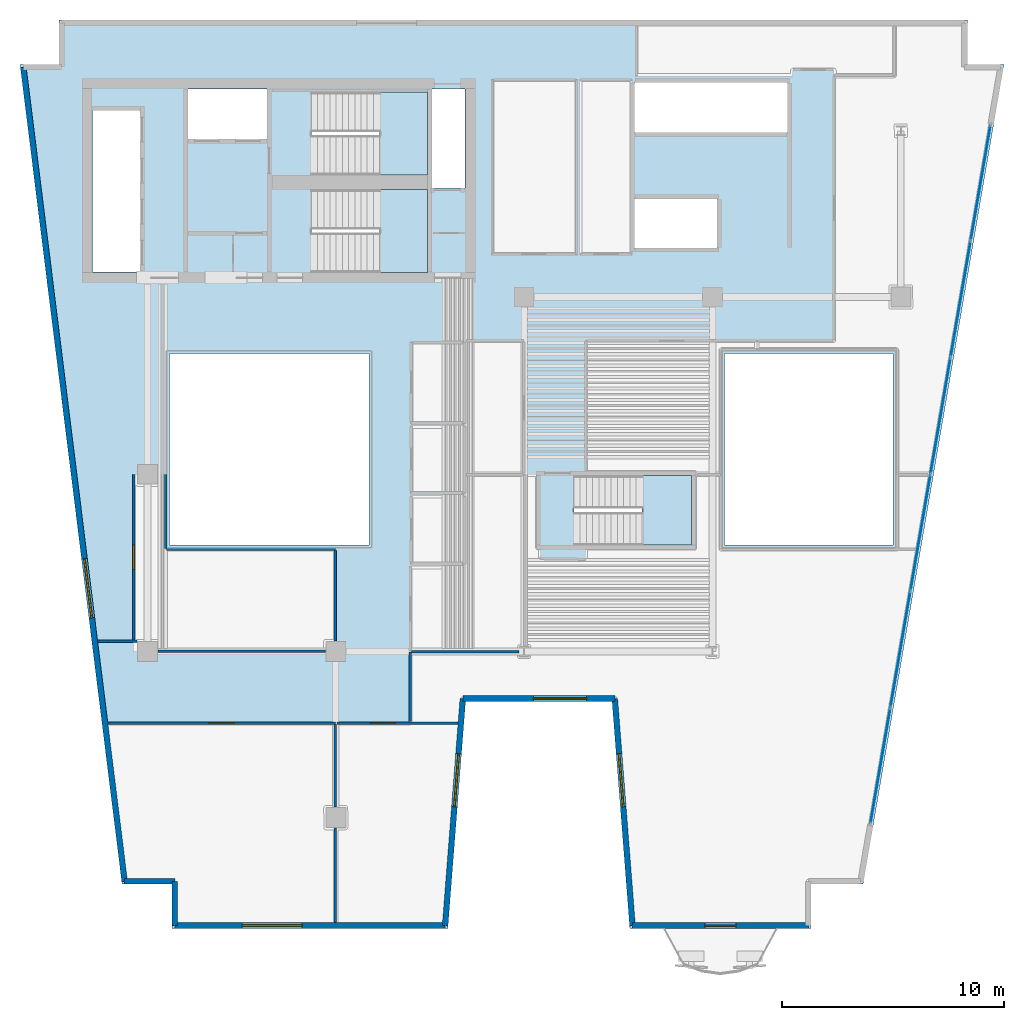
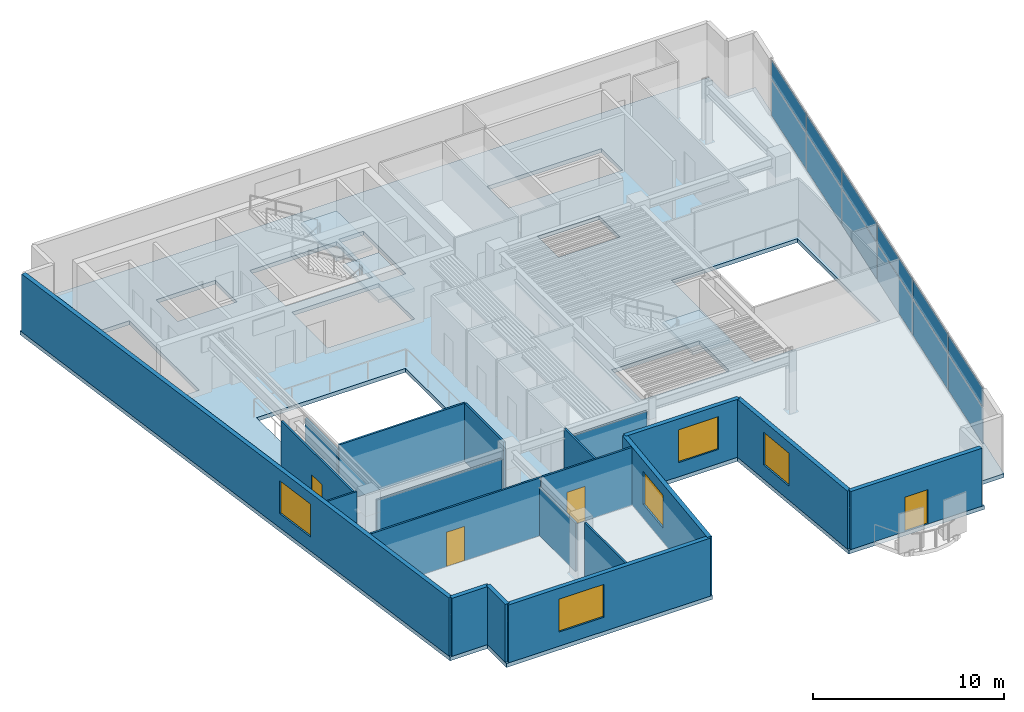
# One storey, part 3 of 10: 20 walls, 12 plates, 5 windows, 4 doors, 4 slabs, 9 openings, 4 elements without a shape of their own.
"""IFC4 building model written with IfcOpenShell, lengths in metres."""

from ifc_helpers import new_model, si_unit, direction, frame, frame_2d, origin, origin_2d, place, context, subcontext, project, spatial, polyline, rectangle, outline, extrude, material, layer, layer_set, type_object, element, fill, aggregate, save


model = new_model("IFC4")

# Units and contexts
model_context = context("Model", 3, precision=1e-05, world=origin(), true_north=direction((0.0, 1.0)))
body_context = subcontext(model_context, "Body", "Model", "MODEL_VIEW")
ifc_project = project(units=[si_unit("LENGTHUNIT", "METRE"), si_unit("AREAUNIT", "SQUARE_METRE"), si_unit("VOLUMEUNIT", "CUBIC_METRE"), si_unit("PLANEANGLEUNIT", "RADIAN"), si_unit("MASSUNIT", "GRAM", prefix="KILO")], contexts=[model_context])

# Site, building, storey
site_placement = place(None, origin())
site = spatial("IfcSite", under=ifc_project, at=site_placement, CompositionType="ELEMENT")
building_placement = place(site_placement, origin())
building = spatial("IfcBuilding", under=site, at=building_placement, Name="Caeloran Harvest Quay", CompositionType="ELEMENT")
storey_placement = place(building_placement, frame((0.0, 0.0, 183.75)))
storey = spatial("IfcBuildingStorey", under=building, at=storey_placement, Name="L43", CompositionType="ELEMENT", Elevation=183.75)

# Curtain wall, plates
ifc_material_1 = material(Name="Aluminium 6063-T6 and Low-E Glazing", Category="aluminium")
ifc_layer_1 = layer(ifc_material_1, 0.2099609375, Name="Aluminium 6063-T6 and Low-E Glazing")
ifc_layer_set_1 = layer_set([ifc_layer_1], Name="Aluminium 6063-T6 and Low-E Glazing")
curtain_wall_type = type_object("IfcCurtainWallType", Name="CW-SYS-CW-4", PredefinedType="USERDEFINED", material=ifc_layer_set_1)
curtain_wall_placement = place(storey_placement, origin())
curtain_wall = element("IfcCurtainWall", 1, at=curtain_wall_placement, inside=storey, type_object=curtain_wall_type, Name="L43 Unitised Curtain Wall CW-4 Run 9", ObjectType="CURTAIN_WALL", PredefinedType="USERDEFINED")
ifc_material_2 = material(Name="Low-E Double Glazed Vision Glass Unit", Category="glass")
ifc_layer_2 = layer(ifc_material_2, 0.035888671875, Name="Low-E Double Glazed Vision Glass Unit")
ifc_layer_set_2 = layer_set([ifc_layer_2], Name="Low-E Double Glazed Vision Glass Unit")
plate_type = type_object("IfcPlateType", Name="CW-VISION-PANEL", PredefinedType="CURTAIN_PANEL", material=ifc_layer_set_2)
plate_1_placement = place(storey_placement, frame((46.105224609375, 36.1533203125, 0.080078125), z_axis=(0.0, 0.0, 1.0), x_axis=(-0.169392351048, -0.985548695604, 0.0)))
plate_1 = element("IfcPlate", 2, at=plate_1_placement, type_object=plate_type, Name="CW-4 panel 1.1", PredefinedType="CURTAIN_PANEL", context=body_context, shape_type="SweptSolid", body=[
    extrude(rectangle(XDim=5.2265625, YDim=0.035888671875, at=origin_2d()), origin(), (0.0, 0.0, 1.0), 2.280029296875),
])
plate_2_placement = place(storey_placement, frame((46.105224609375, 36.1533203125, 2.43994140625), z_axis=(0.0, 0.0, 1.0), x_axis=(-0.169392351048, -0.985548695604, 0.0)))
plate_2 = element("IfcPlate", 3, at=plate_2_placement, type_object=plate_type, Name="CW-4 panel 1.2", PredefinedType="CURTAIN_PANEL", context=body_context, shape_type="SweptSolid", body=[
    extrude(rectangle(XDim=5.2265625, YDim=0.035888671875, at=origin_2d()), origin(), (0.0, 0.0, 1.0), 1.179931640625),
])
plate_3_placement = place(storey_placement, frame((45.203125, 30.90380859375, 0.080078125), z_axis=(0.0, 0.0, 1.0), x_axis=(-0.169392351048, -0.985548695604, 0.0)))
plate_3 = element("IfcPlate", 4, at=plate_3_placement, type_object=plate_type, Name="CW-4 panel 2.1", PredefinedType="CURTAIN_PANEL", context=body_context, shape_type="SweptSolid", body=[
    extrude(rectangle(XDim=5.266357421875, YDim=0.035888671875, at=origin_2d()), origin(), (0.0, 0.0, 1.0), 2.280029296875),
])
plate_4_placement = place(storey_placement, frame((45.203125, 30.90380859375, 2.43994140625), z_axis=(0.0, 0.0, 1.0), x_axis=(-0.169392351048, -0.985548695604, 0.0)))
plate_4 = element("IfcPlate", 5, at=plate_4_placement, type_object=plate_type, Name="CW-4 panel 2.2", PredefinedType="CURTAIN_PANEL", context=body_context, shape_type="SweptSolid", body=[
    extrude(rectangle(XDim=5.266357421875, YDim=0.035888671875, at=origin_2d()), origin(), (0.0, 0.0, 1.0), 1.179931640625),
])
plate_5_placement = place(storey_placement, frame((44.29736328125, 25.634521484375, 0.080078125), z_axis=(0.0, 0.0, 1.0), x_axis=(-0.169392351048, -0.985548695604, 0.0)))
plate_5 = element("IfcPlate", 6, at=plate_5_placement, type_object=plate_type, Name="CW-4 panel 3.1", PredefinedType="CURTAIN_PANEL", context=body_context, shape_type="SweptSolid", body=[
    extrude(rectangle(XDim=5.266357421875, YDim=0.035888671875, at=origin_2d()), origin(), (0.0, 0.0, 1.0), 2.280029296875),
])
plate_6_placement = place(storey_placement, frame((44.29736328125, 25.634521484375, 2.43994140625), z_axis=(0.0, 0.0, 1.0), x_axis=(-0.169392351048, -0.985548695604, 0.0)))
plate_6 = element("IfcPlate", 7, at=plate_6_placement, type_object=plate_type, Name="CW-4 panel 3.2", PredefinedType="CURTAIN_PANEL", context=body_context, shape_type="SweptSolid", body=[
    extrude(rectangle(XDim=5.266357421875, YDim=0.035888671875, at=origin_2d()), origin(), (0.0, 0.0, 1.0), 1.179931640625),
])
plate_7_placement = place(storey_placement, frame((43.391845703125, 20.365478515625, 0.080078125), z_axis=(0.0, 0.0, 1.0), x_axis=(-0.169392351048, -0.985548695604, 0.0)))
plate_7 = element("IfcPlate", 8, at=plate_7_placement, type_object=plate_type, Name="CW-4 panel 4.1", PredefinedType="CURTAIN_PANEL", context=body_context, shape_type="SweptSolid", body=[
    extrude(rectangle(XDim=5.266357421875, YDim=0.035888671875, at=origin_2d()), origin(), (0.0, 0.0, 1.0), 2.280029296875),
])
plate_8_placement = place(storey_placement, frame((43.391845703125, 20.365478515625, 2.43994140625), z_axis=(0.0, 0.0, 1.0), x_axis=(-0.169392351048, -0.985548695604, 0.0)))
plate_8 = element("IfcPlate", 9, at=plate_8_placement, type_object=plate_type, Name="CW-4 panel 4.2", PredefinedType="CURTAIN_PANEL", context=body_context, shape_type="SweptSolid", body=[
    extrude(rectangle(XDim=5.266357421875, YDim=0.035888671875, at=origin_2d()), origin(), (0.0, 0.0, 1.0), 1.179931640625),
])
plate_9_placement = place(storey_placement, frame((42.486083984375, 15.09619140625, 0.080078125), z_axis=(0.0, 0.0, 1.0), x_axis=(-0.169392351048, -0.985548695604, 0.0)))
plate_9 = element("IfcPlate", 10, at=plate_9_placement, type_object=plate_type, Name="CW-4 panel 5.1", PredefinedType="CURTAIN_PANEL", context=body_context, shape_type="SweptSolid", body=[
    extrude(rectangle(XDim=5.266357421875, YDim=0.035888671875, at=origin_2d()), origin(), (0.0, 0.0, 1.0), 2.280029296875),
])
plate_10_placement = place(storey_placement, frame((42.486083984375, 15.09619140625, 2.43994140625), z_axis=(0.0, 0.0, 1.0), x_axis=(-0.169392351048, -0.985548695604, 0.0)))
plate_10 = element("IfcPlate", 11, at=plate_10_placement, type_object=plate_type, Name="CW-4 panel 5.2", PredefinedType="CURTAIN_PANEL", context=body_context, shape_type="SweptSolid", body=[
    extrude(rectangle(XDim=5.266357421875, YDim=0.035888671875, at=origin_2d()), origin(), (0.0, 0.0, 1.0), 1.179931640625),
])
plate_11_placement = place(storey_placement, frame((41.583740234375, 9.8466796875, 0.080078125), z_axis=(0.0, 0.0, 1.0), x_axis=(-0.169392351048, -0.985548695604, 0.0)))
plate_11 = element("IfcPlate", 12, at=plate_11_placement, type_object=plate_type, Name="CW-4 panel 6.1", PredefinedType="CURTAIN_PANEL", context=body_context, shape_type="SweptSolid", body=[
    extrude(rectangle(XDim=5.2265625, YDim=0.035888671875, at=origin_2d()), origin(), (0.0, 0.0, 1.0), 2.280029296875),
])
plate_12_placement = place(storey_placement, frame((41.583740234375, 9.8466796875, 2.43994140625), z_axis=(0.0, 0.0, 1.0), x_axis=(-0.169392351048, -0.985548695604, 0.0)))
plate_12 = element("IfcPlate", 13, at=plate_12_placement, type_object=plate_type, Name="CW-4 panel 6.2", PredefinedType="CURTAIN_PANEL", context=body_context, shape_type="SweptSolid", body=[
    extrude(rectangle(XDim=5.2265625, YDim=0.035888671875, at=origin_2d()), origin(), (0.0, 0.0, 1.0), 1.179931640625),
])
aggregate(curtain_wall, [plate_1, plate_2, plate_3, plate_4, plate_5, plate_6, plate_7, plate_8, plate_9, plate_10, plate_11, plate_12])

# Slab
ifc_material_3 = material(Name="Concrete C50/60", Category="concrete")
ifc_layer_3 = layer(ifc_material_3, 0.25, Name="Concrete C50/60")
ifc_layer_set_3 = layer_set([ifc_layer_3], Name="Concrete C50/60")
slab_type_1 = type_object("IfcSlabType", Name="SLAB-FS-250", PredefinedType="FLOOR", material=ifc_layer_set_3)
slab_1_placement = place(storey_placement, frame((0.0, 0.0, -0.25)))
element("IfcSlab", 14, at=slab_1_placement, inside=storey, type_object=slab_type_1, Name="L43 Structural Floor Slab", PredefinedType="FLOOR", context=body_context, shape_type="SweptSolid", body=[
    extrude(outline(polyline([(9.60302734375, 2.5), (22.056884765625, 2.5), (22.85693359375, 12.75), (29.469482421875, 12.75), (30.26953125, 2.5), (38.452880859375, 2.5), (38.452880859375, 4.5), (40.796875, 4.5), (47.15625, 41.5), (45.5, 41.5), (45.5, 43.5), (4.5, 43.5), (4.5, 41.5), (2.748779296875, 41.5), (7.35400390625, 4.5), (9.60302734375, 4.5), (9.60302734375, 2.5)]), holes=[polyline([(27.75, 19.800048828125), (27.75, 22.949951171875), (33.050048828125, 22.949951171875), (33.050048828125, 19.800048828125), (27.75, 19.800048828125)]), polyline([(18.5, 19.800048828125), (9.5, 19.800048828125), (9.5, 28.449951171875), (18.5, 28.449951171875), (18.5, 19.800048828125)]), polyline([(42.14990234375, 19.800048828125), (34.550048828125, 19.800048828125), (34.550048828125, 28.449951171875), (42.14990234375, 28.449951171875), (42.14990234375, 19.800048828125)]), polyline([(15.89990234375, 35.85009765625), (21.14990234375, 35.85009765625), (21.14990234375, 32.10009765625), (15.89990234375, 32.10009765625), (15.89990234375, 35.85009765625)]), polyline([(30.47998046875, 33.219970703125), (30.47998046875, 35.429931640625), (34.199951171875, 35.429931640625), (34.199951171875, 33.219970703125), (30.47998046875, 33.219970703125)]), polyline([(8.159912109375, 32.1201171875), (6.02001953125, 32.1201171875), (6.02001953125, 39.419921875), (8.159912109375, 39.419921875), (8.159912109375, 32.1201171875)]), polyline([(22.830078125, 35.919921875), (21.35009765625, 35.919921875), (21.35009765625, 40.3798828125), (22.830078125, 40.3798828125), (22.830078125, 35.919921875)]), polyline([(15.89990234375, 36.5), (15.89990234375, 40.25), (21.14990234375, 40.25), (21.14990234375, 36.5), (15.89990234375, 36.5)]), polyline([(10.320068359375, 38.1201171875), (10.320068359375, 40.3798828125), (13.89990234375, 40.3798828125), (13.89990234375, 38.1201171875), (10.320068359375, 38.1201171875)]), polyline([(30.47998046875, 38.419921875), (30.47998046875, 40.679931640625), (37.3798828125, 40.679931640625), (37.3798828125, 38.419921875), (30.47998046875, 38.419921875)])]), origin(), (0.0, 0.0, 1.0), 0.25),
])

# Stair, slab
stair_type_1 = type_object("IfcStairType", Name="STAIR-STC-180", PredefinedType="HALF_TURN_STAIR", material=ifc_material_3)
stair_1_placement = place(storey_placement, origin())
stair_1 = element("IfcStair", 15, at=stair_1_placement, inside=storey, type_object=stair_type_1, Name="L43 Core Pressurized Exit Stair ST-C1", PredefinedType="HALF_TURN_STAIR")
ifc_layer_4 = layer(ifc_material_3, 0.219970703125, Name="Concrete C50/60")
ifc_layer_set_4 = layer_set([ifc_layer_4], Name="Concrete C50/60")
slab_type_2 = type_object("IfcSlabType", Name="STAIR-LANDING-220", PredefinedType="LANDING", material=ifc_layer_set_4)
slab_2_placement = place(storey_placement, frame((0.0, 0.0, 1.77490234375)))
slab_2 = element("IfcSlab", 16, at=slab_2_placement, type_object=slab_type_2, Name="ST-C1 landing 1", PredefinedType="LANDING", context=body_context, shape_type="SweptSolid", body=[
    extrude(outline(polyline([(18.97998046875, 36.5), (21.14990234375, 36.5), (21.14990234375, 40.25), (18.97998046875, 40.25), (18.97998046875, 36.5)])), origin(), (0.0, 0.0, 1.0), 0.2001953125),
])
aggregate(stair_1, [slab_2])

stair_2_placement = place(storey_placement, origin())
stair_2 = element("IfcStair", 17, at=stair_2_placement, inside=storey, type_object=stair_type_1, Name="L43 Core Pressurized Exit Stair ST-C2", PredefinedType="HALF_TURN_STAIR")
slab_3_placement = place(storey_placement, frame((0.0, 0.0, 1.77490234375)))
slab_3 = element("IfcSlab", 18, at=slab_3_placement, type_object=slab_type_2, Name="ST-C2 landing 1", PredefinedType="LANDING", context=body_context, shape_type="SweptSolid", body=[
    extrude(outline(polyline([(18.97998046875, 32.10009765625), (21.14990234375, 32.10009765625), (21.14990234375, 35.85009765625), (18.97998046875, 35.85009765625), (18.97998046875, 32.10009765625)])), origin(), (0.0, 0.0, 1.0), 0.2001953125),
])
aggregate(stair_2, [slab_3])

stair_type_2 = type_object("IfcStairType", Name="STAIR-STW-150", PredefinedType="HALF_TURN_STAIR", material=ifc_material_3)
stair_3_placement = place(storey_placement, origin())
stair_3 = element("IfcStair", 19, at=stair_3_placement, inside=storey, type_object=stair_type_2, Name="L43 East Wing Protected Exit Stair ST-W1", PredefinedType="HALF_TURN_STAIR")
slab_4_placement = place(storey_placement, frame((0.0, 0.0, 1.77490234375)))
slab_4 = element("IfcSlab", 20, at=slab_4_placement, type_object=slab_type_2, Name="ST-W1 landing 1", PredefinedType="LANDING", context=body_context, shape_type="SweptSolid", body=[
    extrude(outline(polyline([(30.830078125, 19.800048828125), (33.050048828125, 19.800048828125), (33.050048828125, 22.949951171875), (30.830078125, 22.949951171875), (30.830078125, 19.800048828125)])), origin(), (0.0, 0.0, 1.0), 0.2001953125),
])
aggregate(stair_3, [slab_4])

# Walls
ifc_material_4 = material(Name="Precast concrete C50/60", Category="concrete")
ifc_layer_5 = layer(ifc_material_4, 0.260009765625, Name="Precast concrete C50/60")
ifc_layer_set_5 = layer_set([ifc_layer_5], Name="Precast concrete C50/60")
wall_type_1 = type_object("IfcWallType", Name="ENV-WALL-EW-260", PredefinedType="STANDARD", material=ifc_layer_set_5)
wall_1_placement = place(storey_placement, frame((9.73291015625, 2.6298828125, 0.0), z_axis=(0.0, 0.0, 1.0), x_axis=(0.0, 1.0, 0.0)))
element("IfcWall", 21, at=wall_1_placement, inside=storey, type_object=wall_type_1, Name="L43 Exterior Precast Concrete Facade Wall 1", PredefinedType="STANDARD", context=body_context, shape_type="SweptSolid", body=[
    extrude(rectangle(XDim=2.0, YDim=0.260009765625, at=frame_2d((1.0, 0.0))), origin(), (0.0, 0.0, 1.0), 3.699951171875),
])
wall_2_placement = place(storey_placement, frame((9.73291015625, 4.6298828125, 0.0), z_axis=(0.0, 0.0, 1.0), x_axis=(-1.0, 0.0, 0.0)))
element("IfcWall", 22, at=wall_2_placement, inside=storey, type_object=wall_type_1, Name="L43 Exterior Precast Concrete Facade Wall 2", PredefinedType="STANDARD", context=body_context, shape_type="SweptSolid", body=[
    extrude(rectangle(XDim=2.263916015625, YDim=0.260009765625, at=frame_2d((1.1318359375, 0.0))), origin(), (0.0, 0.0, 1.0), 3.699951171875),
])

# Wall, opening, window
wall_3_placement = place(storey_placement, frame((7.468994140625, 4.6298828125, 0.0), z_axis=(0.0, 0.0, 1.0), x_axis=(-0.123515300309, 0.992342667928, 0.0)))
wall_3 = element("IfcWall", 23, at=wall_3_placement, inside=storey, type_object=wall_type_1, Name="L43 Exterior Precast Concrete Facade Wall 3", PredefinedType="STANDARD", context=body_context, shape_type="SweptSolid", body=[
    extrude(rectangle(XDim=37.023681640625, YDim=0.260009765625, at=frame_2d((18.51171875, 0.0))), origin(), (0.0, 0.0, 1.0), 3.699951171875),
])
opening_1_placement = place(wall_3_placement, frame((11.97802734375, 0.0, 0.89990234375)))
opening_1 = element("IfcOpeningElement", 24, at=opening_1_placement, cuts=wall_3, Name="Opening W-07", PredefinedType="OPENING", context=body_context, shape_type="SweptSolid", body=[
    extrude(rectangle(XDim=2.699951171875, YDim=2.10009765625, at=frame_2d((1.35009765625, 1.050048828125))), frame((0.0, 0.14013671875, 0.0), z_axis=(0.0, -1.0, 0.0), x_axis=(1.0, 0.0, 0.0)), (0.0, 0.0, 1.0), 0.280029296875),
])
ifc_material_5 = material(Name="Aluminium-Framed Low-E Laminated Glass", Category="aluminium")
window_type_1 = type_object("IfcWindowType", Name="WIN-W-07", PartitioningType="DOUBLE_PANEL_VERTICAL", PredefinedType="WINDOW", material=ifc_material_5)
window_1_placement = place(opening_1_placement, origin())
window_1 = element("IfcWindow", 25, at=window_1_placement, inside=storey, type_object=window_type_1, Name="L43 Facade Punched Window W-07", OverallHeight=2.10009765625, OverallWidth=2.699951171875, PartitioningType="DOUBLE_PANEL_VERTICAL", PredefinedType="WINDOW", context=body_context, shape_type="SweptSolid", body=[
    extrude(rectangle(XDim=2.699951171875, YDim=2.10009765625, at=frame_2d((1.35009765625, 1.050048828125))), frame((0.0, 0.030029296875, 0.0), z_axis=(0.0, -1.0, 0.0), x_axis=(1.0, 0.0, 0.0)), (0.0, 0.0, 1.0), 0.06005859375),
])
fill(opening_1, window_1)

# Wall, opening, door
wall_4_placement = place(storey_placement, frame((38.322998046875, 2.6298828125, 0.0), z_axis=(0.0, 0.0, 1.0), x_axis=(-1.0, 0.0, 0.0)))
wall_4 = element("IfcWall", 26, at=wall_4_placement, inside=storey, type_object=wall_type_1, Name="L43 Exterior Precast Concrete Facade Wall 12", PredefinedType="STANDARD", context=body_context, shape_type="SweptSolid", body=[
    extrude(rectangle(XDim=7.933349609375, YDim=0.260009765625, at=frame_2d((3.966796875, 0.0))), origin(), (0.0, 0.0, 1.0), 3.699951171875),
])
opening_2_placement = place(wall_4_placement, frame((3.26611328125, 0.0, 0.0)))
opening_2 = element("IfcOpeningElement", 27, at=opening_2_placement, cuts=wall_4, Name="Opening BD-02", PredefinedType="OPENING", context=body_context, shape_type="SweptSolid", body=[
    extrude(rectangle(XDim=1.39990234375, YDim=2.199951171875, at=frame_2d((0.699951171875, 1.10009765625))), frame((0.0, 0.14013671875, 0.0), z_axis=(0.0, -1.0, 0.0), x_axis=(1.0, 0.0, 0.0)), (0.0, 0.0, 1.0), 0.280029296875),
])
ifc_material_6 = material(Name="Thermally Broken Powder-Coated Aluminium and Safety Glass", Category="aluminium")
door_type_1 = type_object("IfcDoorType", Name="EXTDOOR-BD-02", OperationType="NOTDEFINED", PredefinedType="DOOR", material=ifc_material_6)
door_1_placement = place(opening_2_placement, origin())
door_1 = element("IfcDoor", 28, at=door_1_placement, inside=storey, type_object=door_type_1, Name="L43 Planted Balcony Glazed Access Door", OperationType="SINGLE_SWING_RIGHT", OverallHeight=2.199951171875, OverallWidth=1.39990234375, PredefinedType="DOOR", context=body_context, shape_type="SweptSolid", body=[
    extrude(rectangle(XDim=1.39990234375, YDim=2.199951171875, at=frame_2d((0.699951171875, 1.10009765625))), frame((0.0, 0.02490234375, 0.0), z_axis=(0.0, -1.0, 0.0), x_axis=(1.0, 0.0, 0.0)), (0.0, 0.0, 1.0), 0.050048828125),
])
fill(opening_2, door_1)

# Wall, opening, window
wall_5_placement = place(storey_placement, frame((30.3896484375, 2.6298828125, 0.0), z_axis=(0.0, 0.0, 1.0), x_axis=(-0.077816860153, 0.996967670627, 0.0)))
wall_5 = element("IfcWall", 29, at=wall_5_placement, inside=storey, type_object=wall_type_1, Name="L43 Exterior Precast Concrete Facade Wall 13", PredefinedType="STANDARD", context=body_context, shape_type="SweptSolid", body=[
    extrude(rectangle(XDim=10.28125, YDim=0.260009765625, at=frame_2d((5.140625, 0.0))), origin(), (0.0, 0.0, 1.0), 3.699951171875),
])
opening_3_placement = place(wall_5_placement, frame((5.3798828125, 0.0, 0.89990234375)))
opening_3 = element("IfcOpeningElement", 30, at=opening_3_placement, cuts=wall_5, Name="Opening W-02", PredefinedType="OPENING", context=body_context, shape_type="SweptSolid", body=[
    extrude(rectangle(XDim=2.39990234375, YDim=2.10009765625, at=frame_2d((1.199951171875, 1.050048828125))), frame((0.0, 0.14013671875, 0.0), z_axis=(0.0, -1.0, 0.0), x_axis=(1.0, 0.0, 0.0)), (0.0, 0.0, 1.0), 0.280029296875),
])
window_type_2 = type_object("IfcWindowType", Name="WIN-W-02", PartitioningType="DOUBLE_PANEL_VERTICAL", PredefinedType="WINDOW", material=ifc_material_5)
window_2_placement = place(opening_3_placement, origin())
window_2 = element("IfcWindow", 31, at=window_2_placement, inside=storey, type_object=window_type_2, Name="L43 Facade Punched Window W-02", OverallHeight=2.10009765625, OverallWidth=2.39990234375, PartitioningType="DOUBLE_PANEL_VERTICAL", PredefinedType="WINDOW", context=body_context, shape_type="SweptSolid", body=[
    extrude(rectangle(XDim=2.39990234375, YDim=2.10009765625, at=frame_2d((1.199951171875, 1.050048828125))), frame((0.0, 0.030029296875, 0.0), z_axis=(0.0, -1.0, 0.0), x_axis=(1.0, 0.0, 0.0)), (0.0, 0.0, 1.0), 0.06005859375),
])
fill(opening_3, window_2)

wall_6_placement = place(storey_placement, frame((29.589599609375, 12.8798828125, 0.0), z_axis=(0.0, 0.0, 1.0), x_axis=(-1.0, 0.0, 0.0)))
wall_6 = element("IfcWall", 32, at=wall_6_placement, inside=storey, type_object=wall_type_1, Name="L43 Exterior Precast Concrete Facade Wall 14", PredefinedType="STANDARD", context=body_context, shape_type="SweptSolid", body=[
    extrude(rectangle(XDim=6.852783203125, YDim=0.260009765625, at=frame_2d((3.42626953125, 0.0))), origin(), (0.0, 0.0, 1.0), 3.699951171875),
])
opening_4_placement = place(wall_6_placement, frame((1.26708984375, 0.0, 0.89990234375)))
opening_4 = element("IfcOpeningElement", 33, at=opening_4_placement, cuts=wall_6, Name="Opening W-02", PredefinedType="OPENING", context=body_context, shape_type="SweptSolid", body=[
    extrude(rectangle(XDim=2.39990234375, YDim=2.10009765625, at=frame_2d((1.199951171875, 1.050048828125))), frame((0.0, 0.14013671875, 0.0), z_axis=(0.0, -1.0, 0.0), x_axis=(1.0, 0.0, 0.0)), (0.0, 0.0, 1.0), 0.280029296875),
])
window_3_placement = place(opening_4_placement, origin())
window_3 = element("IfcWindow", 34, at=window_3_placement, inside=storey, type_object=window_type_2, Name="L43 Facade Punched Window W-02", OverallHeight=2.10009765625, OverallWidth=2.39990234375, PartitioningType="DOUBLE_PANEL_VERTICAL", PredefinedType="WINDOW", context=body_context, shape_type="SweptSolid", body=[
    extrude(rectangle(XDim=2.39990234375, YDim=2.10009765625, at=frame_2d((1.199951171875, 1.050048828125))), frame((0.0, 0.030029296875, 0.0), z_axis=(0.0, -1.0, 0.0), x_axis=(1.0, 0.0, 0.0)), (0.0, 0.0, 1.0), 0.06005859375),
])
fill(opening_4, window_3)

wall_7_placement = place(storey_placement, frame((22.73681640625, 12.8798828125, 0.0), z_axis=(0.0, 0.0, 1.0), x_axis=(-0.077816860153, -0.996967670627, 0.0)))
wall_7 = element("IfcWall", 35, at=wall_7_placement, inside=storey, type_object=wall_type_1, Name="L43 Exterior Precast Concrete Facade Wall 15", PredefinedType="STANDARD", context=body_context, shape_type="SweptSolid", body=[
    extrude(rectangle(XDim=10.28125, YDim=0.260009765625, at=frame_2d((5.140625, 0.0))), origin(), (0.0, 0.0, 1.0), 3.699951171875),
])
opening_5_placement = place(wall_7_placement, frame((2.5009765625, 0.0, 0.89990234375)))
opening_5 = element("IfcOpeningElement", 36, at=opening_5_placement, cuts=wall_7, Name="Opening W-02", PredefinedType="OPENING", context=body_context, shape_type="SweptSolid", body=[
    extrude(rectangle(XDim=2.39990234375, YDim=2.10009765625, at=frame_2d((1.199951171875, 1.050048828125))), frame((0.0, 0.14013671875, 0.0), z_axis=(0.0, -1.0, 0.0), x_axis=(1.0, 0.0, 0.0)), (0.0, 0.0, 1.0), 0.280029296875),
])
window_4_placement = place(opening_5_placement, origin())
window_4 = element("IfcWindow", 37, at=window_4_placement, inside=storey, type_object=window_type_2, Name="L43 Facade Punched Window W-02", OverallHeight=2.10009765625, OverallWidth=2.39990234375, PartitioningType="DOUBLE_PANEL_VERTICAL", PredefinedType="WINDOW", context=body_context, shape_type="SweptSolid", body=[
    extrude(rectangle(XDim=2.39990234375, YDim=2.10009765625, at=frame_2d((1.199951171875, 1.050048828125))), frame((0.0, 0.030029296875, 0.0), z_axis=(0.0, -1.0, 0.0), x_axis=(1.0, 0.0, 0.0)), (0.0, 0.0, 1.0), 0.06005859375),
])
fill(opening_5, window_4)

wall_8_placement = place(storey_placement, frame((21.936767578125, 2.6298828125, 0.0), z_axis=(0.0, 0.0, 1.0), x_axis=(-1.0, 0.0, 0.0)))
wall_8 = element("IfcWall", 38, at=wall_8_placement, inside=storey, type_object=wall_type_1, Name="L43 Exterior Precast Concrete Facade Wall 16", PredefinedType="STANDARD", context=body_context, shape_type="SweptSolid", body=[
    extrude(rectangle(XDim=12.203857421875, YDim=0.260009765625, at=frame_2d((6.10205078125, 0.0))), origin(), (0.0, 0.0, 1.0), 3.699951171875),
])
opening_6_placement = place(wall_8_placement, frame((6.4599609375, 0.0, 0.89990234375)))
opening_6 = element("IfcOpeningElement", 39, at=opening_6_placement, cuts=wall_8, Name="Opening W-07", PredefinedType="OPENING", context=body_context, shape_type="SweptSolid", body=[
    extrude(rectangle(XDim=2.699951171875, YDim=2.10009765625, at=frame_2d((1.35009765625, 1.050048828125))), frame((0.0, 0.14013671875, 0.0), z_axis=(0.0, -1.0, 0.0), x_axis=(1.0, 0.0, 0.0)), (0.0, 0.0, 1.0), 0.280029296875),
])
window_5_placement = place(opening_6_placement, origin())
window_5 = element("IfcWindow", 40, at=window_5_placement, inside=storey, type_object=window_type_1, Name="L43 Facade Punched Window W-07", OverallHeight=2.10009765625, OverallWidth=2.699951171875, PartitioningType="DOUBLE_PANEL_VERTICAL", PredefinedType="WINDOW", context=body_context, shape_type="SweptSolid", body=[
    extrude(rectangle(XDim=2.699951171875, YDim=2.10009765625, at=frame_2d((1.35009765625, 1.050048828125))), frame((0.0, 0.030029296875, 0.0), z_axis=(0.0, -1.0, 0.0), x_axis=(1.0, 0.0, 0.0)), (0.0, 0.0, 1.0), 0.06005859375),
])
fill(opening_6, window_5)

# Wall, opening, door
ifc_material_7 = material(Name="Single-Stud Acoustic Gypsum Office Partition", Category="gypsum")
ifc_layer_6 = layer(ifc_material_7, 0.112060546875, Name="Single-Stud Acoustic Gypsum Office Partition")
ifc_layer_set_6 = layer_set([ifc_layer_6], Name="Single-Stud Acoustic Gypsum Office Partition")
wall_type_2 = type_object("IfcWallType", Name="INT-WALL-PW-112", PredefinedType="PARTITIONING", material=ifc_layer_set_6)
wall_9_placement = place(storey_placement, frame((6.71630859375, 11.77001953125, 0.0), z_axis=(0.0, 0.0, 1.0), x_axis=(1.0, 0.0, 0.0)))
wall_9 = element("IfcWall", 41, at=wall_9_placement, inside=storey, type_object=wall_type_2, Name="Harbourfront Commercial Counsel Office Partition Wall", PredefinedType="PARTITIONING", context=body_context, shape_type="SweptSolid", body=[
    extrude(rectangle(XDim=10.263671875, YDim=0.112060546875, at=frame_2d((5.1318359375, 0.0))), origin(), (0.0, 0.0, 1.0), 3.699951171875),
])
opening_7_placement = place(wall_9_placement, frame((4.581787109375, 0.0, 0.0)))
opening_7 = element("IfcOpeningElement", 42, at=opening_7_placement, cuts=wall_9, Name="Opening ID-04", PredefinedType="OPENING", context=body_context, shape_type="SweptSolid", body=[
    extrude(rectangle(XDim=1.10009765625, YDim=2.199951171875, at=frame_2d((0.550048828125, 1.10009765625))), frame((0.0, 0.06591796875, 0.0), z_axis=(0.0, -1.0, 0.0), x_axis=(1.0, 0.0, 0.0)), (0.0, 0.0, 1.0), 0.132080078125),
])
ifc_material_8 = material(Name="Acoustic Walnut Veneer Executive Door", Category="wood")
door_type_2 = type_object("IfcDoorType", Name="INTDOOR-ID-04", OperationType="NOTDEFINED", PredefinedType="DOOR", material=ifc_material_8)
door_2_placement = place(opening_7_placement, origin())
door_2 = element("IfcDoor", 43, at=door_2_placement, inside=storey, type_object=door_type_2, Name="Harbourfront Commercial Counsel Office Access Door", OperationType="SINGLE_SWING_LEFT", OverallHeight=2.199951171875, OverallWidth=1.10009765625, PredefinedType="DOOR", context=body_context, shape_type="SweptSolid", body=[
    extrude(rectangle(XDim=1.10009765625, YDim=2.199951171875, at=frame_2d((0.550048828125, 1.10009765625))), frame((0.0, 0.02490234375, 0.0), z_axis=(0.0, -1.0, 0.0), x_axis=(1.0, 0.0, 0.0)), (0.0, 0.0, 1.0), 0.050048828125),
])
fill(opening_7, door_2)

# Walls
wall_10_placement = place(storey_placement, frame((16.97998046875, 11.708984375, 0.0), z_axis=(0.0, 0.0, 1.0), x_axis=(0.0, -1.0, 0.0)))
element("IfcWall", 44, at=wall_10_placement, inside=storey, type_object=wall_type_2, Name="Harbourfront Commercial Counsel Office Partition Wall", PredefinedType="PARTITIONING", context=body_context, shape_type="SweptSolid", body=[
    extrude(rectangle(XDim=3.73388671875, YDim=0.112060546875, at=frame_2d((1.866943359375, 0.0))), origin(), (0.0, 0.0, 1.0), 3.0849609375),
])
wall_11_placement = place(storey_placement, frame((16.97998046875, 7.02490234375, 0.0), z_axis=(0.0, 0.0, 1.0), x_axis=(0.0, -1.0, 0.0)))
element("IfcWall", 45, at=wall_11_placement, inside=storey, type_object=wall_type_2, Name="Harbourfront Commercial Counsel Office Partition Wall", PredefinedType="PARTITIONING", context=body_context, shape_type="SweptSolid", body=[
    extrude(rectangle(XDim=4.260009765625, YDim=0.112060546875, at=frame_2d((2.1298828125, 0.0))), origin(), (0.0, 0.0, 1.0), 3.699951171875),
])

# Wall, opening, door
wall_12_placement = place(storey_placement, frame((17.048095703125, 11.77001953125, 0.0), z_axis=(0.0, 0.0, 1.0), x_axis=(1.0, 0.0, 0.0)))
wall_12 = element("IfcWall", 46, at=wall_12_placement, inside=storey, type_object=wall_type_2, Name="Commodities Research Office Partition Wall", PredefinedType="PARTITIONING", context=body_context, shape_type="SweptSolid", body=[
    extrude(rectangle(XDim=5.466796875, YDim=0.112060546875, at=frame_2d((2.7333984375, 0.0))), origin(), (0.0, 0.0, 1.0), 3.699951171875),
])
opening_8_placement = place(wall_12_placement, frame((1.523193359375, 0.0, 0.0)))
opening_8 = element("IfcOpeningElement", 47, at=opening_8_placement, cuts=wall_12, Name="Opening ID-04", PredefinedType="OPENING", context=body_context, shape_type="SweptSolid", body=[
    extrude(rectangle(XDim=1.10009765625, YDim=2.199951171875, at=frame_2d((0.550048828125, 1.10009765625))), frame((0.0, 0.06591796875, 0.0), z_axis=(0.0, -1.0, 0.0), x_axis=(1.0, 0.0, 0.0)), (0.0, 0.0, 1.0), 0.132080078125),
])
door_3_placement = place(opening_8_placement, origin())
door_3 = element("IfcDoor", 48, at=door_3_placement, inside=storey, type_object=door_type_2, Name="Commodities Research Office Access Door", OperationType="SINGLE_SWING_LEFT", OverallHeight=2.199951171875, OverallWidth=1.10009765625, PredefinedType="DOOR", context=body_context, shape_type="SweptSolid", body=[
    extrude(rectangle(XDim=1.10009765625, YDim=2.199951171875, at=frame_2d((0.550048828125, 1.10009765625))), frame((0.0, 0.02490234375, 0.0), z_axis=(0.0, -1.0, 0.0), x_axis=(1.0, 0.0, 0.0)), (0.0, 0.0, 1.0), 0.050048828125),
])
fill(opening_8, door_3)

# Walls
wall_13_placement = place(storey_placement, frame((20.35009765625, 11.8310546875, 0.0), z_axis=(0.0, 0.0, 1.0), x_axis=(0.0, 1.0, 0.0)))
element("IfcWall", 49, at=wall_13_placement, inside=storey, type_object=wall_type_2, Name="Commodities Research Office Partition Wall", PredefinedType="PARTITIONING", context=body_context, shape_type="SweptSolid", body=[
    extrude(rectangle(XDim=3.14892578125, YDim=0.112060546875, at=frame_2d((1.574462890625, 0.0))), origin(), (0.0, 0.0, 1.0), 3.699951171875),
])
wall_14_placement = place(storey_placement, frame((20.410888671875, 14.97998046875, 0.0), z_axis=(0.0, 0.0, 1.0), x_axis=(1.0, 0.0, 0.0)))
element("IfcWall", 50, at=wall_14_placement, inside=storey, type_object=wall_type_2, Name="Commodities Research Office Partition Wall", PredefinedType="PARTITIONING", context=body_context, shape_type="SweptSolid", body=[
    extrude(rectangle(XDim=4.856201171875, YDim=0.112060546875, at=frame_2d((2.42822265625, 0.0))), origin(), (0.0, 0.0, 1.0), 3.0849609375),
])
wall_15_placement = place(storey_placement, frame((9.35009765625, 19.6201171875, 0.0), z_axis=(0.0, 0.0, 1.0), x_axis=(1.0, 0.0, 0.0)))
element("IfcWall", 51, at=wall_15_placement, inside=storey, type_object=wall_type_2, Name="Maritime Trade Advisory Office Partition Wall", PredefinedType="PARTITIONING", context=body_context, shape_type="SweptSolid", body=[
    extrude(rectangle(XDim=7.6298828125, YDim=0.112060546875, at=frame_2d((3.81494140625, 0.0))), origin(), (0.0, 0.0, 1.0), 3.699951171875),
])
wall_16_placement = place(storey_placement, frame((16.97998046875, 19.55908203125, 0.0), z_axis=(0.0, 0.0, 1.0), x_axis=(0.0, -1.0, 0.0)))
element("IfcWall", 52, at=wall_16_placement, inside=storey, type_object=wall_type_2, Name="Maritime Trade Advisory Office Partition Wall", PredefinedType="PARTITIONING", context=body_context, shape_type="SweptSolid", body=[
    extrude(rectangle(XDim=4.083984375, YDim=0.112060546875, at=frame_2d((2.0419921875, 0.0))), origin(), (0.0, 0.0, 1.0), 3.699951171875),
])
wall_17_placement = place(storey_placement, frame((16.52490234375, 15.02001953125, 0.0), z_axis=(0.0, 0.0, 1.0), x_axis=(-1.0, 0.0, 0.0)))
element("IfcWall", 53, at=wall_17_placement, inside=storey, type_object=wall_type_2, Name="Maritime Trade Advisory Office Partition Wall", PredefinedType="PARTITIONING", context=body_context, shape_type="SweptSolid", body=[
    extrude(rectangle(XDim=7.5498046875, YDim=0.112060546875, at=frame_2d((3.77490234375, 0.0))), origin(), (0.0, 0.0, 1.0), 3.0849609375),
])
wall_18_placement = place(storey_placement, frame((8.02490234375, 15.465087890625, 0.0), z_axis=(0.0, 0.0, 1.0), x_axis=(-1.0, 0.0, 0.0)))
element("IfcWall", 54, at=wall_18_placement, inside=storey, type_object=wall_type_2, Name="Maritime Trade Advisory Office Partition Wall", PredefinedType="PARTITIONING", context=body_context, shape_type="SweptSolid", body=[
    extrude(rectangle(XDim=1.7685546875, YDim=0.112060546875, at=frame_2d((0.88427734375, 0.0))), origin(), (0.0, 0.0, 1.0), 3.699951171875),
])

# Wall, opening, door
wall_19_placement = place(storey_placement, frame((7.8798828125, 15.52587890625, 0.0), z_axis=(0.0, 0.0, 1.0), x_axis=(0.0, 1.0, 0.0)))
wall_19 = element("IfcWall", 55, at=wall_19_placement, inside=storey, type_object=wall_type_2, Name="Maritime Trade Advisory Office Partition Wall", PredefinedType="PARTITIONING", context=body_context, shape_type="SweptSolid", body=[
    extrude(rectangle(XDim=7.4541015625, YDim=0.112060546875, at=frame_2d((3.72705078125, 0.0))), origin(), (0.0, 0.0, 1.0), 3.699951171875),
])
opening_9_placement = place(wall_19_placement, frame((3.177001953125, 0.0, 0.0)))
opening_9 = element("IfcOpeningElement", 56, at=opening_9_placement, cuts=wall_19, Name="Opening ID-04", PredefinedType="OPENING", context=body_context, shape_type="SweptSolid", body=[
    extrude(rectangle(XDim=1.10009765625, YDim=2.199951171875, at=frame_2d((0.550048828125, 1.10009765625))), frame((0.0, 0.06591796875, 0.0), z_axis=(0.0, -1.0, 0.0), x_axis=(1.0, 0.0, 0.0)), (0.0, 0.0, 1.0), 0.132080078125),
])
door_4_placement = place(opening_9_placement, origin())
door_4 = element("IfcDoor", 57, at=door_4_placement, inside=storey, type_object=door_type_2, Name="Maritime Trade Advisory Office Access Door", OperationType="SINGLE_SWING_RIGHT", OverallHeight=2.199951171875, OverallWidth=1.10009765625, PredefinedType="DOOR", context=body_context, shape_type="SweptSolid", body=[
    extrude(rectangle(XDim=1.10009765625, YDim=2.199951171875, at=frame_2d((0.550048828125, 1.10009765625))), frame((0.0, 0.02490234375, 0.0), z_axis=(0.0, -1.0, 0.0), x_axis=(1.0, 0.0, 0.0)), (0.0, 0.0, 1.0), 0.050048828125),
])
fill(opening_9, door_4)

# Wall
wall_20_placement = place(storey_placement, frame((9.320068359375, 22.97998046875, 0.0), z_axis=(0.0, 0.0, 1.0), x_axis=(0.0, -1.0, 0.0)))
element("IfcWall", 58, at=wall_20_placement, inside=storey, type_object=wall_type_2, Name="Maritime Trade Advisory Office Partition Wall", PredefinedType="PARTITIONING", context=body_context, shape_type="SweptSolid", body=[
    extrude(rectangle(XDim=3.330078125, YDim=0.112060546875, at=frame_2d((1.6650390625, 0.0))), origin(), (0.0, 0.0, 1.0), 3.385009765625),
])

save(model, "model.ifc")
